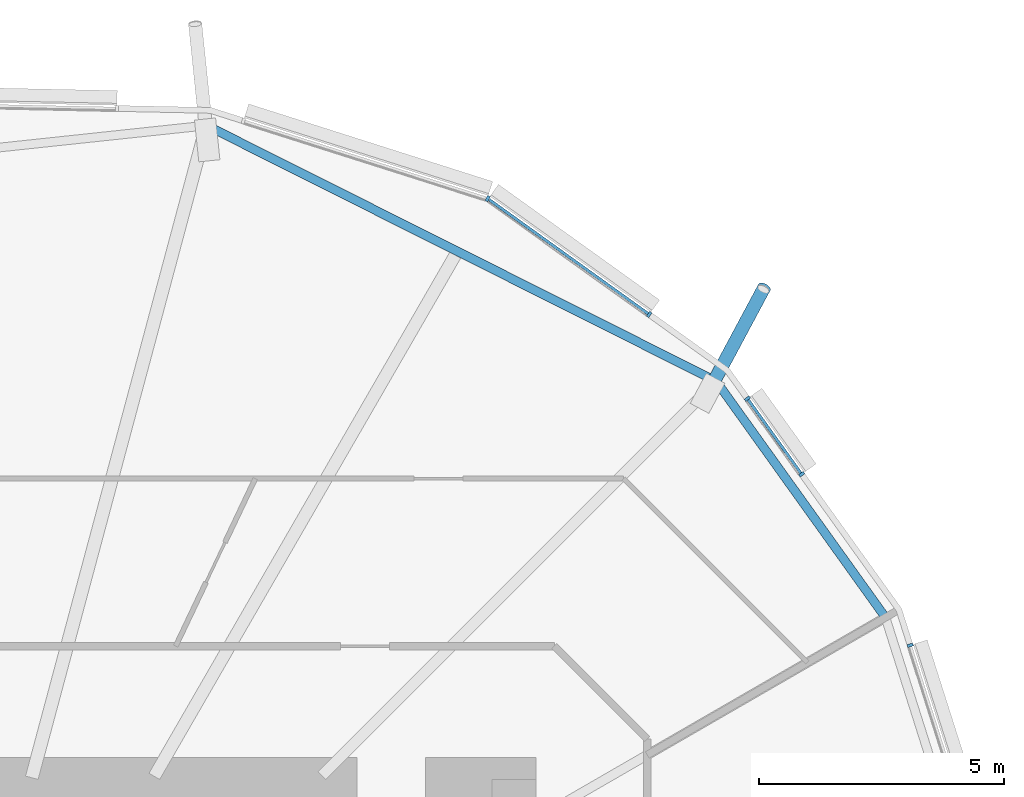
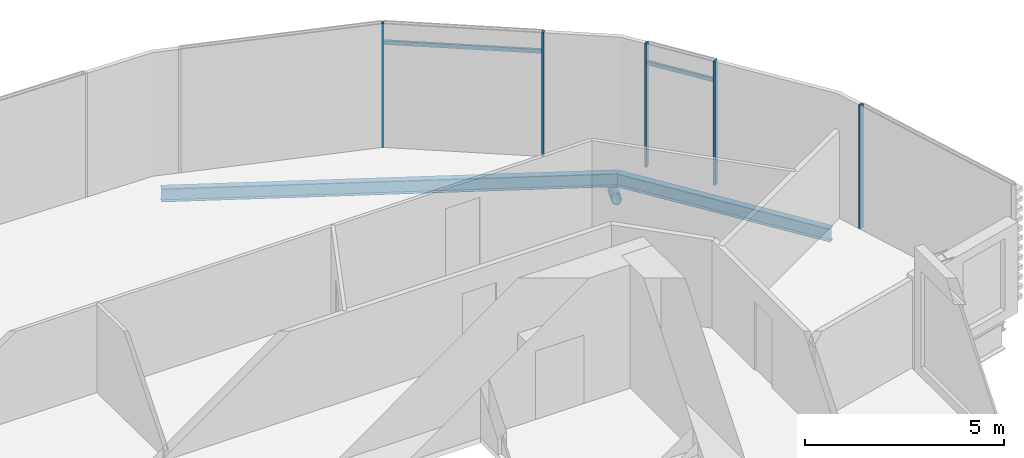
# One storey, part 19 of 38: 8 members, 2 beams, 1 element without a shape of its own.
"""IFC4 building model written with IfcOpenShell, lengths in metres."""

from ifc_helpers import new_model, si_unit, direction, frame, origin, origin_2d, place, context, subcontext, project, spatial, rectangle, hollow_circle, i_section, extrude, clip, halfspace, material, material_profile, profile_set, type_object, element, aggregate, save


model = new_model("IFC4")

# Units and contexts
model_context = context("Model", 3, precision=1e-05, world=origin(), true_north=direction((0.0, 1.0)))
body_context = subcontext(model_context, "Body", "Model", "MODEL_VIEW")
ifc_project = project(units=[si_unit("LENGTHUNIT", "METRE"), si_unit("AREAUNIT", "SQUARE_METRE"), si_unit("VOLUMEUNIT", "CUBIC_METRE"), si_unit("PLANEANGLEUNIT", "RADIAN"), si_unit("MASSUNIT", "GRAM", prefix="KILO")], contexts=[model_context])

# Site, building, storey
site_placement = place(None, origin())
site = spatial("IfcSite", under=ifc_project, at=site_placement, CompositionType="ELEMENT")
building_placement = place(site_placement, origin())
building = spatial("IfcBuilding", under=site, at=building_placement, Name="Rimbun Link Towers", CompositionType="ELEMENT")
storey_placement = place(building_placement, frame((0.0, 0.0, 56.60009765625)))
storey = spatial("IfcBuildingStorey", under=building, at=storey_placement, Name="L13", CompositionType="ELEMENT", Elevation=56.60009765625)

# Curtain wall, members
ifc_material_1 = material(Name="Aluminium 6063-T6 and low-iron glass", Category="aluminium")
curtain_wall_type = type_object("IfcCurtainWallType", Name="CW1 unitised vision wall", PredefinedType="NOTDEFINED", material=ifc_material_1)
curtain_wall_placement = place(storey_placement, origin())
curtain_wall = element("IfcCurtainWall", 1, at=curtain_wall_placement, inside=storey, type_object=curtain_wall_type, Name="CW1 L13 T2", PredefinedType="NOTDEFINED")
ifc_material_2 = material(Name="Aluminium 6063-T6", Category="aluminium")
ifc_material_profile_1 = material_profile(ifc_material_2, rectangle(XDim=0.1201171875, YDim=0.06005859375, at=origin_2d()), Name="MULLION 60X120")
ifc_profile_set_1 = profile_set([ifc_material_profile_1], Name="Aluminium 6063-T6")
member_type_1 = type_object("IfcMemberType", Name="CW1 mullion 60X120", PredefinedType="MULLION", material=ifc_profile_set_1)
member_1_placement = place(storey_placement, frame((43.21533203125, 19.865478515625, 0.0), z_axis=(0.0, 0.0, 1.0), x_axis=(0.448573554472, 0.89374591816, 0.0)))
member_1 = element("IfcMember", 2, at=member_1_placement, type_object=member_type_1, Name="CW1 mullion", PredefinedType="MULLION", context=body_context, shape_type="SweptSolid", body=[
    extrude(rectangle(XDim=0.1201171875, YDim=0.06005859375, at=origin_2d()), origin(), (0.0, 0.0, 1.0), 3.7998046875),
])
member_2_placement = place(storey_placement, frame((46.51416015625, 17.499267578125, 0.0), z_axis=(0.0, 0.0, 1.0), x_axis=(0.583004026034, 0.812469264421, 0.0)))
member_2 = element("IfcMember", 3, at=member_2_placement, type_object=member_type_1, Name="CW1 mullion", PredefinedType="MULLION", context=body_context, shape_type="SweptSolid", body=[
    extrude(rectangle(XDim=0.1201171875, YDim=0.06005859375, at=origin_2d()), origin(), (0.0, 0.0, 1.0), 3.7998046875),
])
member_3_placement = place(storey_placement, frame((51.846435546875, 10.741943359375, 0.0), z_axis=(0.0, 0.0, 1.0), x_axis=(0.952967205153, 0.303073433186, 0.0)))
member_3 = element("IfcMember", 4, at=member_3_placement, type_object=member_type_1, Name="CW1 mullion", PredefinedType="MULLION", context=body_context, shape_type="SweptSolid", body=[
    extrude(rectangle(XDim=0.1201171875, YDim=0.06005859375, at=origin_2d()), origin(), (0.0, 0.0, 1.0), 3.7998046875),
])
member_4_placement = place(storey_placement, frame((48.5205078125, 15.77978515625, 0.0), z_axis=(0.0, 0.0, 1.0), x_axis=(0.812469264421, 0.583004026034, 0.0)))
member_4 = element("IfcMember", 5, at=member_4_placement, type_object=member_type_1, Name="CW1 mullion", PredefinedType="MULLION", context=body_context, shape_type="SweptSolid", body=[
    extrude(rectangle(XDim=0.1201171875, YDim=0.06005859375, at=origin_2d()), origin(), (0.0, 0.0, 1.0), 3.7998046875),
])
member_5_placement = place(storey_placement, frame((49.62841796875, 14.23583984375, 0.0), z_axis=(0.0, 0.0, 1.0), x_axis=(0.812469264421, 0.583004026034, 0.0)))
member_5 = element("IfcMember", 6, at=member_5_placement, type_object=member_type_1, Name="CW1 mullion", PredefinedType="MULLION", context=body_context, shape_type="SweptSolid", body=[
    extrude(rectangle(XDim=0.1201171875, YDim=0.06005859375, at=origin_2d()), origin(), (0.0, 0.0, 1.0), 3.7998046875),
])
ifc_material_3 = material(Name="Aluminium 6063-T6", Category="aluminium")
ifc_material_profile_2 = material_profile(ifc_material_3, rectangle(XDim=0.06005859375, YDim=0.1201171875, at=origin_2d()), Name="TRANSOM 60X120")
ifc_profile_set_2 = profile_set([ifc_material_profile_2], Name="Aluminium 6063-T6")
member_type_2 = type_object("IfcMemberType", Name="CW1 transom 60X120", PredefinedType="USERDEFINED", material=ifc_profile_set_2)
member_6_placement = place(storey_placement, frame((43.24658203125, 19.841552734375, 3.199951171875), z_axis=(0.812479031967, -0.582990413826, 0.0), x_axis=(0.582990413826, 0.812479031967, 0.0)))
member_6 = element("IfcMember", 7, at=member_6_placement, type_object=member_type_2, Name="CW1 transom", ObjectType="TRANSOM", PredefinedType="USERDEFINED", context=body_context, shape_type="SweptSolid", body=[
    extrude(rectangle(XDim=0.06005859375, YDim=0.1201171875, at=origin_2d()), origin(), (0.0, 0.0, 1.0), 3.990478515625),
])
member_7_placement = place(storey_placement, frame((48.536376953125, 15.75439453125, 3.199951171875), z_axis=(0.582993545844, -0.812476784594, 0.0), x_axis=(0.812476784594, 0.582993545844, 0.0)))
member_7 = element("IfcMember", 8, at=member_7_placement, type_object=member_type_2, Name="CW1 transom", ObjectType="TRANSOM", PredefinedType="USERDEFINED", context=body_context, shape_type="SweptSolid", body=[
    extrude(rectangle(XDim=0.06005859375, YDim=0.1201171875, at=origin_2d()), origin(), (0.0, 0.0, 1.0), 1.840576171875),
])
aggregate(curtain_wall, [member_1, member_2, member_3, member_4, member_5, member_6, member_7])

# Member
ifc_material_4 = material(Name="Steel S355J2H", Category="steel")
ifc_material_profile_3 = material_profile(ifc_material_4, hollow_circle(Radius=0.136474609375, WallThickness=0.012451171875, at=origin_2d()), Name="CHS 273x12.5")
ifc_profile_set_3 = profile_set([ifc_material_profile_3], Name="Steel S355J2H")
member_type_3 = type_object("IfcMemberType", Name="Floor edge link CHS 273x12.5", PredefinedType="BRACE", material=ifc_profile_set_3)
member_8_placement = place(storey_placement, frame((47.78466796875, 16.03466796875, -0.8798828125), z_axis=(0.406862359936, 0.759390743539, -0.507728981539), x_axis=(-0.881457796584, 0.472262800611, 0.0)))
element("IfcMember", 9, at=member_8_placement, inside=storey, type_object=member_type_3, Name="Floor edge link T2 L13 00", PredefinedType="BRACE", context=body_context, shape_type="Clipping", body=[
    clip(extrude(hollow_circle(Radius=0.136474609375, WallThickness=0.012451171875, at=origin_2d()), frame((0.0, 0.0, -0.48291015625)), (0.0, 0.0, 1.0), 3.14306640625), halfspace(frame((0.0, 0.0, -0.226806640625), z_axis=(0.0, 0.861516849113, -0.507728981539)), False)),
])

# Beams
ifc_material_5 = material(Name="Steel S355J2", Category="steel")
ifc_material_profile_4 = material_profile(ifc_material_5, i_section(OverallWidth=0.177978515625, OverallDepth=0.406494140625, WebThickness=0.0078125, FlangeThickness=0.0126953125, at=origin_2d()), Name="UB 406x178x60")
ifc_profile_set_4 = profile_set([ifc_material_profile_4], Name="Steel S355J2")
beam_type = type_object("IfcBeamType", Name="UB 406x178x60", PredefinedType="BEAM", material=ifc_profile_set_4)
beam_1_placement = place(storey_placement, frame((47.883544921875, 16.135009765625, -0.36328125), z_axis=(-0.893755943779, 0.448553578695, 0.0), x_axis=(-0.448553578695, -0.893755943779, 0.0)))
element("IfcBeam", 10, at=beam_1_placement, inside=storey, type_object=beam_type, Name="Edge beam T2 L13 00-02", PredefinedType="BEAM", context=body_context, shape_type="SweptSolid", body=[
    extrude(i_section(OverallWidth=0.177978515625, OverallDepth=0.406494140625, WebThickness=0.0078125, FlangeThickness=0.0126953125, at=origin_2d()), origin(), (0.0, 0.0, 1.0), 11.510498046875),
])
beam_2_placement = place(storey_placement, frame((51.331298828125, 11.32275390625, -0.36328125), z_axis=(-0.582357664658, 0.812932685045, 0.0), x_axis=(-0.812932685045, -0.582357664658, 0.0)))
element("IfcBeam", 11, at=beam_2_placement, inside=storey, type_object=beam_type, Name="Edge beam T2 L13 23", PredefinedType="BEAM", context=body_context, shape_type="SweptSolid", body=[
    extrude(i_section(OverallWidth=0.177978515625, OverallDepth=0.406494140625, WebThickness=0.0078125, FlangeThickness=0.0126953125, at=origin_2d()), origin(), (0.0, 0.0, 1.0), 5.917724609375),
])

save(model, "model.ifc")
